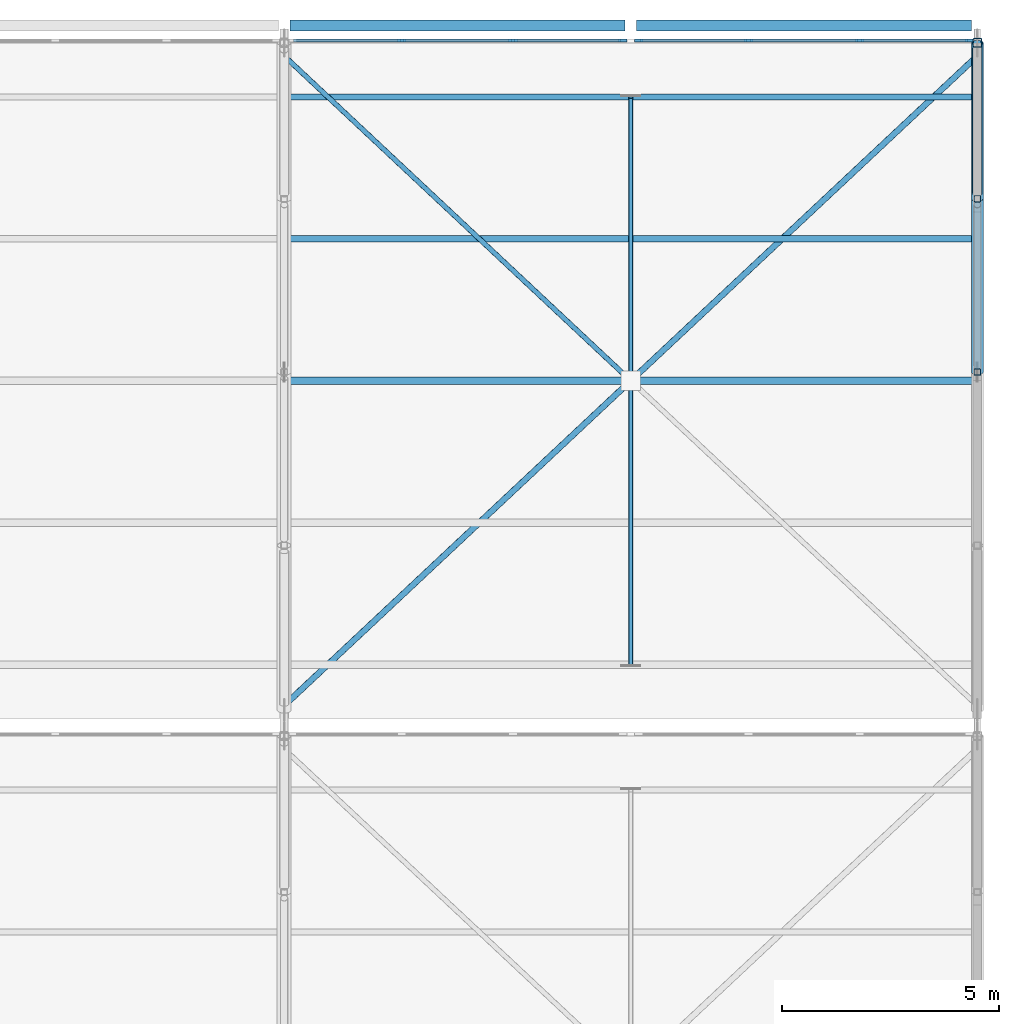
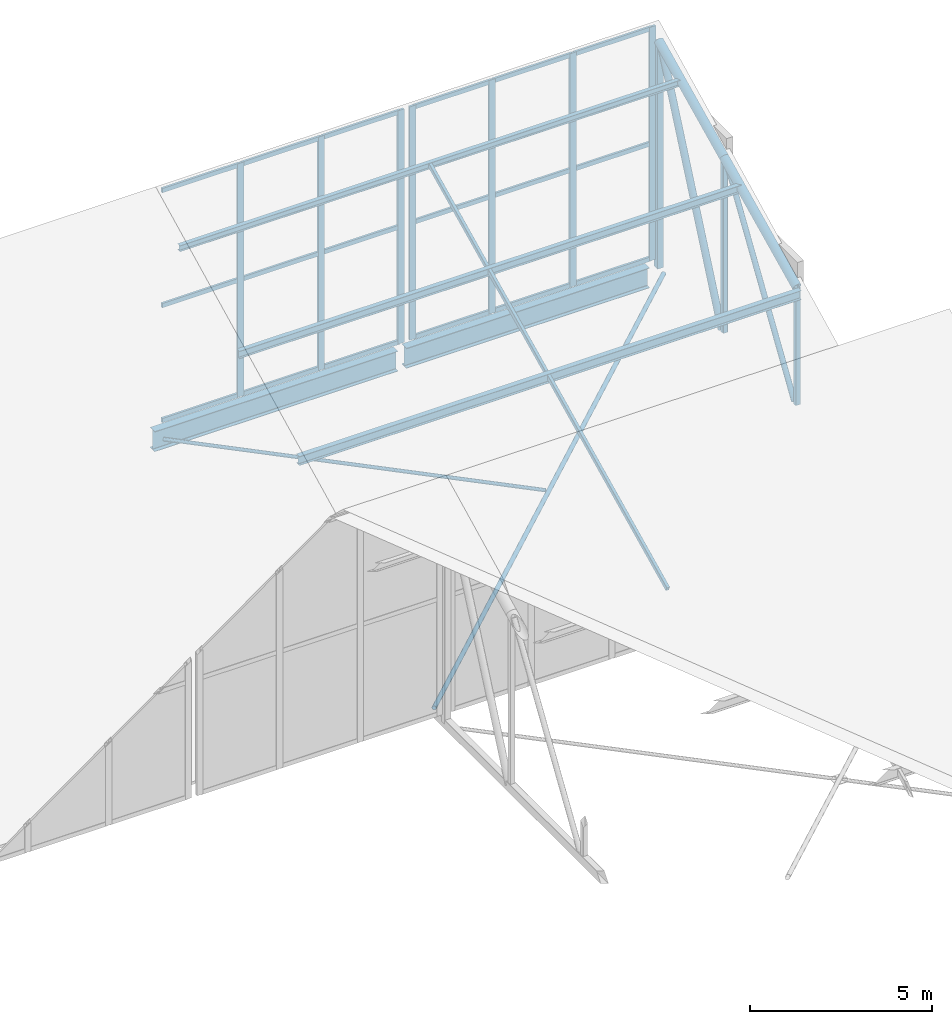
# One storey, part 89 of 137: 35 members, 5 beams, 2 elements without a shape of their own.
"""IFC4 building model written with IfcOpenShell, lengths in metres."""

from ifc_helpers import new_model, si_unit, direction, frame, origin, origin_2d, place, context, subcontext, project, spatial, rectangle, hollow_rectangle, hollow_circle, i_section, extrude, material, layer, layer_set, material_profile, profile_set, type_object, element, aggregate, save


model = new_model("IFC4")

# Units and contexts
model_context = context("Model", 3, precision=1e-05, world=origin(), true_north=direction((0.0, 1.0)))
body_context = subcontext(model_context, "Body", "Model", "MODEL_VIEW")
ifc_project = project(units=[si_unit("LENGTHUNIT", "METRE"), si_unit("AREAUNIT", "SQUARE_METRE"), si_unit("VOLUMEUNIT", "CUBIC_METRE"), si_unit("PLANEANGLEUNIT", "RADIAN"), si_unit("MASSUNIT", "GRAM", prefix="KILO")], contexts=[model_context])

# Site, building, storey
site_placement = place(None, origin())
site = spatial("IfcSite", under=ifc_project, at=site_placement, CompositionType="ELEMENT")
building_placement = place(site_placement, origin())
building = spatial("IfcBuilding", under=site, at=building_placement, Name="Jelvoka-Kovrelna Polytechnic", CompositionType="ELEMENT")
storey_placement = place(building_placement, frame((0.0, 0.0, 9.60009765625)))
storey = spatial("IfcBuildingStorey", under=building, at=storey_placement, Name="L03", CompositionType="ELEMENT", Elevation=9.60009765625)

# Beams
ifc_material_1 = material(Name="Structural steel S355JR", Category="steel")
ifc_material_profile_1 = material_profile(ifc_material_1, i_section(OverallWidth=0.2529296875, OverallDepth=0.677978515625, WebThickness=0.01171875, FlangeThickness=0.01611328125, FilletRadius=0.01513671875, at=origin_2d()), Name="686x254x125 UB")
ifc_profile_set_1 = profile_set([ifc_material_profile_1], Name="Structural steel S355JR")
beam_type_1 = type_object("IfcBeamType", Name="Girder_Steel_UB686", PredefinedType="BEAM", material=ifc_profile_set_1)
for number, where, z_axis, x_axis, name in (
    (1, (184.1328125, 120.0, -0.34912109375), (1.0, 0.0, 0.0), (0.0, 1.0, 0.0), "L03 beam 0114"),
    (2, (192.1328125, 120.0, -0.34912109375), (1.0, 0.0, 0.0), (0.0, 1.0, 0.0), "L03 beam 0116"),
):
    element("IfcBeam", number, at=place(storey_placement, frame(where, z_axis=z_axis, x_axis=x_axis)), inside=storey, type_object=beam_type_1, Name=name, PredefinedType="BEAM", context=body_context, shape_type="SweptSolid", body=[
        extrude(i_section(OverallWidth=0.2529296875, OverallDepth=0.677978515625, WebThickness=0.01171875, FlangeThickness=0.01611328125, FilletRadius=0.01513671875, at=origin_2d()), origin(), (0.0, 0.0, 1.0), 7.734375),
    ])

# Members
ifc_material_2 = material(Name="Structural steel S355J2H", Category="steel")
ifc_material_profile_2 = material_profile(ifc_material_2, hollow_circle(Radius=0.05712890625, WallThickness=0.00634765625, at=origin_2d()), Name="114.3x6.3 CHS")
ifc_profile_set_2 = profile_set([ifc_material_profile_2], Name="Structural steel S355J2H")
member_type_1 = type_object("IfcMemberType", Name="Member_Brace_CHS114", PredefinedType="BRACE", material=ifc_profile_set_2)
member_1_placement = place(storey_placement, frame((184.050048828125, 119.25, 0.14990234375), z_axis=(0.729679522085, -0.683789291412, 0.0), x_axis=(0.683789291412, 0.729679522085, 0.0)))
element("IfcMember", 3, at=member_1_placement, inside=storey, type_object=member_type_1, Name="Sawtooth roof split X-brace half-diagonal 0230", PredefinedType="BRACE", context=body_context, shape_type="SweptSolid", body=[
    extrude(hollow_circle(Radius=0.05712890625, WallThickness=0.00634765625, at=origin_2d()), origin(), (0.0, 0.0, 1.0), 10.80517578125),
])
ifc_material_3 = material(Name="Structural steel S355J2H", Category="steel")
ifc_material_profile_3 = material_profile(ifc_material_3, hollow_circle(Radius=0.06982421875, WallThickness=0.00634765625, at=origin_2d()), Name="139.7x6.3 CHS")
ifc_profile_set_3 = profile_set([ifc_material_profile_3], Name="Structural steel S355J2H")
member_type_2 = type_object("IfcMemberType", Name="Member_Brace_CHS140", PredefinedType="BRACE", material=ifc_profile_set_3)
member_2_placement = place(storey_placement, frame((184.050048828125, 104.35009765625, 0.14990234375), z_axis=(0.72968044266, 0.683788309055, 0.0), x_axis=(-0.683788309055, 0.72968044266, 0.0)))
element("IfcMember", 4, at=member_2_placement, inside=storey, type_object=member_type_2, Name="Sawtooth roof continuous X-brace 0229", PredefinedType="BRACE", context=body_context, shape_type="SweptSolid", body=[
    extrude(hollow_circle(Radius=0.06982421875, WallThickness=0.00634765625, at=origin_2d()), origin(), (0.0, 0.0, 1.0), 21.790283203125),
])
ifc_material_4 = material(Name="Structural steel S355J2H", Category="steel")
ifc_material_profile_4 = material_profile(ifc_material_4, hollow_circle(Radius=0.084228515625, WallThickness=0.008056640625, at=origin_2d()), Name="168.3x8.0 CHS")
ifc_profile_set_4 = profile_set([ifc_material_profile_4], Name="Structural steel S355J2H")
member_type_3 = type_object("IfcMemberType", Name="Member_Brace_CHS168", PredefinedType="BRACE", material=ifc_profile_set_4)
member_3_placement = place(storey_placement, frame((200.0, 112.139892578125, 0.14990234375), z_axis=(0.0, 0.5415746521, 0.840652660855), x_axis=(-1.0, 0.0, 0.0)))
element("IfcMember", 5, at=member_3_placement, inside=storey, type_object=member_type_3, Name="Sawtooth truss 8 diagonal web 2.3", PredefinedType="BRACE", context=body_context, shape_type="SweptSolid", body=[
    extrude(hollow_circle(Radius=0.084228515625, WallThickness=0.008056640625, at=origin_2d()), origin(), (0.0, 0.0, 1.0), 6.869140625),
])
ifc_material_5 = material(Name="Structural steel S355J2H", Category="steel")
ifc_material_profile_5 = material_profile(ifc_material_5, hollow_circle(Radius=0.109619140625, WallThickness=0.008056640625, at=origin_2d()), Name="219.1x8.0 CHS")
ifc_profile_set_5 = profile_set([ifc_material_profile_5], Name="Structural steel S355J2H")
member_type_4 = type_object("IfcMemberType", Name="Member_Brace_CHS219", PredefinedType="BRACE", material=ifc_profile_set_5)
member_4_placement = place(storey_placement, frame((200.0, 116.139892578125, 0.14990234375), z_axis=(0.0, 0.404336237521, 0.914610412705), x_axis=(-1.0, 0.0, 0.0)))
element("IfcMember", 6, at=member_4_placement, inside=storey, type_object=member_type_4, Name="Sawtooth truss 8 diagonal web 2.4", PredefinedType="BRACE", context=body_context, shape_type="SweptSolid", body=[
    extrude(hollow_circle(Radius=0.109619140625, WallThickness=0.008056640625, at=origin_2d()), origin(), (0.0, 0.0, 1.0), 8.211181640625),
])
ifc_material_6 = material(Name="Structural steel S355J2H", Category="steel")
ifc_material_profile_6 = material_profile(ifc_material_6, hollow_circle(Radius=0.136474609375, WallThickness=0.010009765625, at=origin_2d()), Name="273.0x10.0 CHS")
ifc_profile_set_6 = profile_set([ifc_material_profile_6], Name="Structural steel S355J2H")
member_type_5 = type_object("IfcMemberType", Name="Member_Chord_CHS273", PredefinedType="CHORD", material=ifc_profile_set_6)
member_5_placement = place(storey_placement, frame((200.0, 112.0, 4.076416015625), z_axis=(0.0, 0.900820911068, 0.434190840741), x_axis=(-1.0, 0.0, 0.0)))
element("IfcMember", 7, at=member_5_placement, inside=storey, type_object=member_type_5, Name="Sawtooth truss 8 top chord 2.3", PredefinedType="CHORD", context=body_context, shape_type="SweptSolid", body=[
    extrude(hollow_circle(Radius=0.136474609375, WallThickness=0.010009765625, at=origin_2d()), origin(), (0.0, 0.0, 1.0), 4.4404296875),
])
member_6_placement = place(storey_placement, frame((200.0, 116.0, 6.00439453125), z_axis=(0.0, 0.900784896778, 0.434265552095), x_axis=(-1.0, 0.0, 0.0)))
element("IfcMember", 8, at=member_6_placement, inside=storey, type_object=member_type_5, Name="Sawtooth truss 8 top chord 2.4", PredefinedType="CHORD", context=body_context, shape_type="SweptSolid", body=[
    extrude(hollow_circle(Radius=0.136474609375, WallThickness=0.010009765625, at=origin_2d()), origin(), (0.0, 0.0, 1.0), 3.99658203125),
])
ifc_material_7 = material(Name="Structural steel S355J2H", Category="steel")
ifc_material_profile_7 = material_profile(ifc_material_7, hollow_rectangle(XDim=0.14990234375, YDim=0.14990234375, WallThickness=0.008056640625, InnerFilletRadius=0.008056640625, OuterFilletRadius=0.011962890625, at=origin_2d()), Name="150x150x8.0 SHS")
ifc_profile_set_7 = profile_set([ifc_material_profile_7], Name="Structural steel S355J2H")
member_type_6 = type_object("IfcMemberType", Name="Member_Post_SHS150", PredefinedType="POST", material=ifc_profile_set_7)
member_7_placement = place(storey_placement, frame((200.0, 112.0, 0.14990234375), z_axis=(0.0, 0.0, 1.0), x_axis=(1.0, 0.0, 0.0)))
element("IfcMember", 9, at=member_7_placement, inside=storey, type_object=member_type_6, Name="Sawtooth truss 8 web post 2.3", PredefinedType="POST", context=body_context, shape_type="SweptSolid", body=[
    extrude(hollow_rectangle(XDim=0.14990234375, YDim=0.14990234375, WallThickness=0.008056640625, InnerFilletRadius=0.008056640625, OuterFilletRadius=0.011962890625, at=origin_2d()), origin(), (0.0, 0.0, 1.0), 3.926513671875),
])
member_8_placement = place(storey_placement, frame((200.0, 116.0, 0.14990234375), z_axis=(0.0, 0.0, 1.0), x_axis=(1.0, 0.0, 0.0)))
element("IfcMember", 10, at=member_8_placement, inside=storey, type_object=member_type_6, Name="Sawtooth truss 8 web post 2.4", PredefinedType="POST", context=body_context, shape_type="SweptSolid", body=[
    extrude(hollow_rectangle(XDim=0.14990234375, YDim=0.14990234375, WallThickness=0.008056640625, InnerFilletRadius=0.008056640625, OuterFilletRadius=0.011962890625, at=origin_2d()), origin(), (0.0, 0.0, 1.0), 5.8544921875),
])
ifc_material_8 = material(Name="Structural steel S355J2H", Category="steel")
ifc_material_profile_8 = material_profile(ifc_material_8, hollow_rectangle(XDim=0.199951171875, YDim=0.199951171875, WallThickness=0.010009765625, InnerFilletRadius=0.010009765625, OuterFilletRadius=0.014892578125, at=origin_2d()), Name="200x200x10.0 SHS")
ifc_profile_set_8 = profile_set([ifc_material_profile_8], Name="Structural steel S355J2H")
member_type_7 = type_object("IfcMemberType", Name="Member_Post_SHS200", PredefinedType="POST", material=ifc_profile_set_8)
member_9_placement = place(storey_placement, frame((200.0, 119.60009765625, 0.14990234375), z_axis=(0.0, 0.0, 1.0), x_axis=(1.0, 0.0, 0.0)))
element("IfcMember", 11, at=member_9_placement, inside=storey, type_object=member_type_7, Name="Sawtooth truss 8 web post 2.5", PredefinedType="POST", context=body_context, shape_type="SweptSolid", body=[
    extrude(hollow_rectangle(XDim=0.199951171875, YDim=0.199951171875, WallThickness=0.010009765625, InnerFilletRadius=0.010009765625, OuterFilletRadius=0.014892578125, at=origin_2d()), origin(), (0.0, 0.0, 1.0), 7.590087890625),
])
ifc_material_9 = material(Name="Structural steel S355J2H", Category="steel")
ifc_material_profile_9 = material_profile(ifc_material_9, hollow_rectangle(XDim=0.10009765625, YDim=0.14990234375, WallThickness=0.00634765625, InnerFilletRadius=0.00634765625, OuterFilletRadius=0.009521484375, at=origin_2d()), Name="150x100x6.3 RHS")
ifc_profile_set_9 = profile_set([ifc_material_profile_9], Name="Structural steel S355J2H")
member_type_8 = type_object("IfcMemberType", Name="Member_Rafter_RHS150", PredefinedType="RAFTER", material=ifc_profile_set_9)
member_10_placement = place(storey_placement, frame((192.0, 105.248046875, 0.821533203125), z_axis=(0.0, 0.900805023058, 0.434223802243), x_axis=(-1.0, 0.0, 0.0)))
element("IfcMember", 12, at=member_10_placement, inside=storey, type_object=member_type_8, Name="Sawtooth mid-bay secondary rafter 7.2", PredefinedType="RAFTER", context=body_context, shape_type="SweptSolid", body=[
    extrude(hollow_rectangle(XDim=0.10009765625, YDim=0.14990234375, WallThickness=0.00634765625, InnerFilletRadius=0.00634765625, OuterFilletRadius=0.009521484375, at=origin_2d()), origin(), (0.0, 0.0, 1.0), 14.546875),
])

# Curtain wall, members
ifc_material_10 = material(Name="Anodised aluminium 6063-T6", Category="aluminium")
ifc_layer = layer(ifc_material_10, 0.199951171875)
ifc_layer_set = layer_set([ifc_layer], Name="Anodised aluminium 6063-T6")
curtain_wall_type = type_object("IfcCurtainWallType", Name="CW_Clerestory", PredefinedType="NOTDEFINED", material=ifc_layer_set)
curtain_wall_1_placement = place(storey_placement, origin())
curtain_wall_1 = element("IfcCurtainWall", 13, at=curtain_wall_1_placement, inside=storey, type_object=curtain_wall_type, Name="L03 glazed curtain wall 208", PredefinedType="NOTDEFINED")
ifc_material_11 = material(Name="Anodised aluminium 6063-T6", Category="aluminium")
ifc_material_profile_10 = material_profile(ifc_material_11, rectangle(XDim=0.070068359375, YDim=0.199951171875, at=origin_2d()), Name="ALU 70x200")
ifc_profile_set_10 = profile_set([ifc_material_profile_10], Name="Anodised aluminium 6063-T6")
member_type_9 = type_object("IfcMemberType", Name="Mullion_M-03", PredefinedType="MULLION", material=ifc_profile_set_10)
member_11_placement = place(storey_placement, frame((186.716552734375, 119.64990234375, 0.425048828125), z_axis=(0.0, 0.0, 1.0), x_axis=(0.0, 1.0, 0.0)))
member_11 = element("IfcMember", 14, at=member_11_placement, type_object=member_type_9, Name="CW-03 mullion 2", PredefinedType="MULLION", context=body_context, shape_type="SweptSolid", body=[
    extrude(rectangle(XDim=0.070068359375, YDim=0.199951171875, at=origin_2d()), origin(), (0.0, 0.0, 1.0), 7.85009765625),
])
member_12_placement = place(storey_placement, frame((189.283447265625, 119.64990234375, 0.425048828125), z_axis=(0.0, 0.0, 1.0), x_axis=(0.0, 1.0, 0.0)))
member_12 = element("IfcMember", 15, at=member_12_placement, type_object=member_type_9, Name="CW-03 mullion 3", PredefinedType="MULLION", context=body_context, shape_type="SweptSolid", body=[
    extrude(rectangle(XDim=0.070068359375, YDim=0.199951171875, at=origin_2d()), origin(), (0.0, 0.0, 1.0), 7.85009765625),
])
member_13_placement = place(storey_placement, frame((191.81494140625, 119.64990234375, 0.425048828125), z_axis=(0.0, 0.0, 1.0), x_axis=(0.0, 1.0, 0.0)))
member_13 = element("IfcMember", 16, at=member_13_placement, type_object=member_type_9, Name="CW-03 mullion 4", PredefinedType="MULLION", context=body_context, shape_type="SweptSolid", body=[
    extrude(rectangle(XDim=0.070068359375, YDim=0.199951171875, at=origin_2d()), origin(), (0.0, 0.0, 1.0), 7.85009765625),
])

curtain_wall_2_placement = place(storey_placement, origin())
curtain_wall_2 = element("IfcCurtainWall", 17, at=curtain_wall_2_placement, inside=storey, type_object=curtain_wall_type, Name="L03 glazed curtain wall 210", PredefinedType="NOTDEFINED")
member_14_placement = place(storey_placement, frame((192.18505859375, 119.64990234375, 0.425048828125), z_axis=(0.0, 0.0, 1.0), x_axis=(0.0, 1.0, 0.0)))
member_14 = element("IfcMember", 18, at=member_14_placement, type_object=member_type_9, Name="CW-03 mullion 1", PredefinedType="MULLION", context=body_context, shape_type="SweptSolid", body=[
    extrude(rectangle(XDim=0.070068359375, YDim=0.199951171875, at=origin_2d()), origin(), (0.0, 0.0, 1.0), 7.85009765625),
])
member_15_placement = place(storey_placement, frame((194.716552734375, 119.64990234375, 0.425048828125), z_axis=(0.0, 0.0, 1.0), x_axis=(0.0, 1.0, 0.0)))
member_15 = element("IfcMember", 19, at=member_15_placement, type_object=member_type_9, Name="CW-03 mullion 2", PredefinedType="MULLION", context=body_context, shape_type="SweptSolid", body=[
    extrude(rectangle(XDim=0.070068359375, YDim=0.199951171875, at=origin_2d()), origin(), (0.0, 0.0, 1.0), 7.85009765625),
])
member_16_placement = place(storey_placement, frame((197.283447265625, 119.64990234375, 0.425048828125), z_axis=(0.0, 0.0, 1.0), x_axis=(0.0, 1.0, 0.0)))
member_16 = element("IfcMember", 20, at=member_16_placement, type_object=member_type_9, Name="CW-03 mullion 3", PredefinedType="MULLION", context=body_context, shape_type="SweptSolid", body=[
    extrude(rectangle(XDim=0.070068359375, YDim=0.199951171875, at=origin_2d()), origin(), (0.0, 0.0, 1.0), 7.85009765625),
])
member_17_placement = place(storey_placement, frame((199.81494140625, 119.64990234375, 0.425048828125), z_axis=(0.0, 0.0, 1.0), x_axis=(0.0, 1.0, 0.0)))
member_17 = element("IfcMember", 21, at=member_17_placement, type_object=member_type_9, Name="CW-03 mullion 4", PredefinedType="MULLION", context=body_context, shape_type="SweptSolid", body=[
    extrude(rectangle(XDim=0.070068359375, YDim=0.199951171875, at=origin_2d()), origin(), (0.0, 0.0, 1.0), 7.85009765625),
])

# Beams
ifc_material_12 = material(Name="Structural steel S355JR", Category="steel")
ifc_material_profile_11 = material_profile(ifc_material_12, i_section(OverallWidth=0.13330078125, OverallDepth=0.203125, WebThickness=0.005615234375, FlangeThickness=0.0078125, FilletRadius=0.007568359375, at=origin_2d()), Name="203x133x25 UB")
ifc_profile_set_11 = profile_set([ifc_material_profile_11], Name="Structural steel S355JR")
beam_type_2 = type_object("IfcBeamType", Name="Purlin_Steel_UB203", PredefinedType="JOIST", material=ifc_profile_set_11)
beam_1_placement = place(storey_placement, frame((184.02001953125, 118.35205078125, 7.13818359375), z_axis=(1.0, 0.0, 0.0), x_axis=(0.0, 1.0, 0.0)))
element("IfcBeam", 22, at=beam_1_placement, inside=storey, type_object=beam_type_2, Name="Sawtooth roof purlin 070", PredefinedType="JOIST", context=body_context, shape_type="SweptSolid", body=[
    extrude(i_section(OverallWidth=0.13330078125, OverallDepth=0.203125, WebThickness=0.005615234375, FlangeThickness=0.0078125, FilletRadius=0.007568359375, at=origin_2d()), origin(), (0.0, 0.0, 1.0), 15.9599609375),
])
ifc_material_13 = material(Name="Structural steel S355JR", Category="steel")
ifc_material_profile_12 = material_profile(ifc_material_13, i_section(OverallWidth=0.14599609375, OverallDepth=0.25146484375, WebThickness=0.006103515625, FlangeThickness=0.008544921875, FilletRadius=0.007568359375, at=origin_2d()), Name="254x146x31 UB")
ifc_profile_set_12 = profile_set([ifc_material_profile_12], Name="Structural steel S355JR")
beam_type_3 = type_object("IfcBeamType", Name="Purlin_Steel_UB254", PredefinedType="JOIST", material=ifc_profile_set_12)
beam_2_placement = place(storey_placement, frame((184.02001953125, 115.075927734375, 5.55908203125), z_axis=(1.0, 0.0, 0.0), x_axis=(0.0, 1.0, 0.0)))
element("IfcBeam", 23, at=beam_2_placement, inside=storey, type_object=beam_type_3, Name="Sawtooth roof purlin 069", PredefinedType="JOIST", context=body_context, shape_type="SweptSolid", body=[
    extrude(i_section(OverallWidth=0.14599609375, OverallDepth=0.25146484375, WebThickness=0.006103515625, FlangeThickness=0.008544921875, FilletRadius=0.007568359375, at=origin_2d()), origin(), (0.0, 0.0, 1.0), 15.9599609375),
])
ifc_material_14 = material(Name="Structural steel S355JR", Category="steel")
ifc_material_profile_13 = material_profile(ifc_material_14, i_section(OverallWidth=0.1650390625, OverallDepth=0.303466796875, WebThickness=0.006103515625, FlangeThickness=0.01025390625, FilletRadius=0.0087890625, at=origin_2d()), Name="305x165x40 UB")
ifc_profile_set_13 = profile_set([ifc_material_profile_13], Name="Structural steel S355JR")
beam_type_4 = type_object("IfcBeamType", Name="Purlin_Steel_UB305", PredefinedType="JOIST", material=ifc_profile_set_13)
beam_3_placement = place(storey_placement, frame((184.02001953125, 111.800048828125, 3.97998046875), z_axis=(1.0, 0.0, 0.0), x_axis=(0.0, 1.0, 0.0)))
element("IfcBeam", 24, at=beam_3_placement, inside=storey, type_object=beam_type_4, Name="Sawtooth roof purlin 068", PredefinedType="JOIST", context=body_context, shape_type="SweptSolid", body=[
    extrude(i_section(OverallWidth=0.1650390625, OverallDepth=0.303466796875, WebThickness=0.006103515625, FlangeThickness=0.01025390625, FilletRadius=0.0087890625, at=origin_2d()), origin(), (0.0, 0.0, 1.0), 15.9599609375),
])

# Member
ifc_material_15 = material(Name="Anodised aluminium 6063-T6", Category="aluminium")
ifc_material_profile_14 = material_profile(ifc_material_15, rectangle(XDim=0.070068359375, YDim=0.14501953125, at=origin_2d()), Name="ALU 70x145")
ifc_profile_set_14 = profile_set([ifc_material_profile_14], Name="Anodised aluminium 6063-T6")
member_type_10 = type_object("IfcMemberType", Name="Transom_T-03", PredefinedType="USERDEFINED", material=ifc_profile_set_14)
member_18_placement = place(storey_placement, frame((184.219970703125, 119.64990234375, 0.48486328125), z_axis=(1.0, 0.0, 0.0), x_axis=(0.0, 1.0, 0.0)))
member_18 = element("IfcMember", 25, at=member_18_placement, type_object=member_type_10, Name="CW-03 transom 1.1", ObjectType="TRANSOM", PredefinedType="USERDEFINED", context=body_context, shape_type="SweptSolid", body=[
    extrude(rectangle(XDim=0.070068359375, YDim=0.14501953125, at=origin_2d()), origin(), (0.0, 0.0, 1.0), 2.461669921875),
])

member_19_placement = place(storey_placement, frame((184.219970703125, 119.64990234375, 4.349853515625), z_axis=(1.0, 0.0, 0.0), x_axis=(0.0, 1.0, 0.0)))
member_19 = element("IfcMember", 26, at=member_19_placement, type_object=member_type_10, Name="CW-03 transom 1.2", ObjectType="TRANSOM", PredefinedType="USERDEFINED", context=body_context, shape_type="SweptSolid", body=[
    extrude(rectangle(XDim=0.070068359375, YDim=0.14501953125, at=origin_2d()), origin(), (0.0, 0.0, 1.0), 2.461669921875),
])

member_20_placement = place(storey_placement, frame((184.219970703125, 119.64990234375, 8.21484375), z_axis=(1.0, 0.0, 0.0), x_axis=(0.0, 1.0, 0.0)))
member_20 = element("IfcMember", 27, at=member_20_placement, type_object=member_type_10, Name="CW-03 transom 1.3", ObjectType="TRANSOM", PredefinedType="USERDEFINED", context=body_context, shape_type="SweptSolid", body=[
    extrude(rectangle(XDim=0.070068359375, YDim=0.14501953125, at=origin_2d()), origin(), (0.0, 0.0, 1.0), 2.461669921875),
])

member_21_placement = place(storey_placement, frame((186.751708984375, 119.64990234375, 0.48486328125), z_axis=(1.0, 0.0, 0.0), x_axis=(0.0, 1.0, 0.0)))
member_21 = element("IfcMember", 28, at=member_21_placement, type_object=member_type_10, Name="CW-03 transom 2.1", ObjectType="TRANSOM", PredefinedType="USERDEFINED", context=body_context, shape_type="SweptSolid", body=[
    extrude(rectangle(XDim=0.070068359375, YDim=0.14501953125, at=origin_2d()), origin(), (0.0, 0.0, 1.0), 2.49658203125),
])

member_22_placement = place(storey_placement, frame((186.751708984375, 119.64990234375, 4.349853515625), z_axis=(1.0, 0.0, 0.0), x_axis=(0.0, 1.0, 0.0)))
member_22 = element("IfcMember", 29, at=member_22_placement, type_object=member_type_10, Name="CW-03 transom 2.2", ObjectType="TRANSOM", PredefinedType="USERDEFINED", context=body_context, shape_type="SweptSolid", body=[
    extrude(rectangle(XDim=0.070068359375, YDim=0.14501953125, at=origin_2d()), origin(), (0.0, 0.0, 1.0), 2.49658203125),
])

member_23_placement = place(storey_placement, frame((186.751708984375, 119.64990234375, 8.21484375), z_axis=(1.0, 0.0, 0.0), x_axis=(0.0, 1.0, 0.0)))
member_23 = element("IfcMember", 30, at=member_23_placement, type_object=member_type_10, Name="CW-03 transom 2.3", ObjectType="TRANSOM", PredefinedType="USERDEFINED", context=body_context, shape_type="SweptSolid", body=[
    extrude(rectangle(XDim=0.070068359375, YDim=0.14501953125, at=origin_2d()), origin(), (0.0, 0.0, 1.0), 2.49658203125),
])

member_24_placement = place(storey_placement, frame((189.318359375, 119.64990234375, 0.48486328125), z_axis=(1.0, 0.0, 0.0), x_axis=(0.0, 1.0, 0.0)))
member_24 = element("IfcMember", 31, at=member_24_placement, type_object=member_type_10, Name="CW-03 transom 3.1", ObjectType="TRANSOM", PredefinedType="USERDEFINED", context=body_context, shape_type="SweptSolid", body=[
    extrude(rectangle(XDim=0.070068359375, YDim=0.14501953125, at=origin_2d()), origin(), (0.0, 0.0, 1.0), 2.461669921875),
])

member_25_placement = place(storey_placement, frame((189.318359375, 119.64990234375, 4.349853515625), z_axis=(1.0, 0.0, 0.0), x_axis=(0.0, 1.0, 0.0)))
member_25 = element("IfcMember", 32, at=member_25_placement, type_object=member_type_10, Name="CW-03 transom 3.2", ObjectType="TRANSOM", PredefinedType="USERDEFINED", context=body_context, shape_type="SweptSolid", body=[
    extrude(rectangle(XDim=0.070068359375, YDim=0.14501953125, at=origin_2d()), origin(), (0.0, 0.0, 1.0), 2.461669921875),
])

member_26_placement = place(storey_placement, frame((189.318359375, 119.64990234375, 8.21484375), z_axis=(1.0, 0.0, 0.0), x_axis=(0.0, 1.0, 0.0)))
member_26 = element("IfcMember", 33, at=member_26_placement, type_object=member_type_10, Name="CW-03 transom 3.3", ObjectType="TRANSOM", PredefinedType="USERDEFINED", context=body_context, shape_type="SweptSolid", body=[
    extrude(rectangle(XDim=0.070068359375, YDim=0.14501953125, at=origin_2d()), origin(), (0.0, 0.0, 1.0), 2.461669921875),
])

aggregate(curtain_wall_1, [member_11, member_12, member_13, member_18, member_19, member_20, member_21, member_22, member_23, member_24, member_25, member_26])

member_27_placement = place(storey_placement, frame((192.219970703125, 119.64990234375, 0.48486328125), z_axis=(1.0, 0.0, 0.0), x_axis=(0.0, 1.0, 0.0)))
member_27 = element("IfcMember", 34, at=member_27_placement, type_object=member_type_10, Name="CW-03 transom 1.1", ObjectType="TRANSOM", PredefinedType="USERDEFINED", context=body_context, shape_type="SweptSolid", body=[
    extrude(rectangle(XDim=0.070068359375, YDim=0.14501953125, at=origin_2d()), origin(), (0.0, 0.0, 1.0), 2.461669921875),
])

member_28_placement = place(storey_placement, frame((192.219970703125, 119.64990234375, 4.349853515625), z_axis=(1.0, 0.0, 0.0), x_axis=(0.0, 1.0, 0.0)))
member_28 = element("IfcMember", 35, at=member_28_placement, type_object=member_type_10, Name="CW-03 transom 1.2", ObjectType="TRANSOM", PredefinedType="USERDEFINED", context=body_context, shape_type="SweptSolid", body=[
    extrude(rectangle(XDim=0.070068359375, YDim=0.14501953125, at=origin_2d()), origin(), (0.0, 0.0, 1.0), 2.461669921875),
])

member_29_placement = place(storey_placement, frame((192.219970703125, 119.64990234375, 8.21484375), z_axis=(1.0, 0.0, 0.0), x_axis=(0.0, 1.0, 0.0)))
member_29 = element("IfcMember", 36, at=member_29_placement, type_object=member_type_10, Name="CW-03 transom 1.3", ObjectType="TRANSOM", PredefinedType="USERDEFINED", context=body_context, shape_type="SweptSolid", body=[
    extrude(rectangle(XDim=0.070068359375, YDim=0.14501953125, at=origin_2d()), origin(), (0.0, 0.0, 1.0), 2.461669921875),
])

member_30_placement = place(storey_placement, frame((194.751708984375, 119.64990234375, 0.48486328125), z_axis=(1.0, 0.0, 0.0), x_axis=(0.0, 1.0, 0.0)))
member_30 = element("IfcMember", 37, at=member_30_placement, type_object=member_type_10, Name="CW-03 transom 2.1", ObjectType="TRANSOM", PredefinedType="USERDEFINED", context=body_context, shape_type="SweptSolid", body=[
    extrude(rectangle(XDim=0.070068359375, YDim=0.14501953125, at=origin_2d()), origin(), (0.0, 0.0, 1.0), 2.49658203125),
])

member_31_placement = place(storey_placement, frame((194.751708984375, 119.64990234375, 4.349853515625), z_axis=(1.0, 0.0, 0.0), x_axis=(0.0, 1.0, 0.0)))
member_31 = element("IfcMember", 38, at=member_31_placement, type_object=member_type_10, Name="CW-03 transom 2.2", ObjectType="TRANSOM", PredefinedType="USERDEFINED", context=body_context, shape_type="SweptSolid", body=[
    extrude(rectangle(XDim=0.070068359375, YDim=0.14501953125, at=origin_2d()), origin(), (0.0, 0.0, 1.0), 2.49658203125),
])

member_32_placement = place(storey_placement, frame((194.751708984375, 119.64990234375, 8.21484375), z_axis=(1.0, 0.0, 0.0), x_axis=(0.0, 1.0, 0.0)))
member_32 = element("IfcMember", 39, at=member_32_placement, type_object=member_type_10, Name="CW-03 transom 2.3", ObjectType="TRANSOM", PredefinedType="USERDEFINED", context=body_context, shape_type="SweptSolid", body=[
    extrude(rectangle(XDim=0.070068359375, YDim=0.14501953125, at=origin_2d()), origin(), (0.0, 0.0, 1.0), 2.49658203125),
])

member_33_placement = place(storey_placement, frame((197.318359375, 119.64990234375, 0.48486328125), z_axis=(1.0, 0.0, 0.0), x_axis=(0.0, 1.0, 0.0)))
member_33 = element("IfcMember", 40, at=member_33_placement, type_object=member_type_10, Name="CW-03 transom 3.1", ObjectType="TRANSOM", PredefinedType="USERDEFINED", context=body_context, shape_type="SweptSolid", body=[
    extrude(rectangle(XDim=0.070068359375, YDim=0.14501953125, at=origin_2d()), origin(), (0.0, 0.0, 1.0), 2.461669921875),
])

member_34_placement = place(storey_placement, frame((197.318359375, 119.64990234375, 4.349853515625), z_axis=(1.0, 0.0, 0.0), x_axis=(0.0, 1.0, 0.0)))
member_34 = element("IfcMember", 41, at=member_34_placement, type_object=member_type_10, Name="CW-03 transom 3.2", ObjectType="TRANSOM", PredefinedType="USERDEFINED", context=body_context, shape_type="SweptSolid", body=[
    extrude(rectangle(XDim=0.070068359375, YDim=0.14501953125, at=origin_2d()), origin(), (0.0, 0.0, 1.0), 2.461669921875),
])

member_35_placement = place(storey_placement, frame((197.318359375, 119.64990234375, 8.21484375), z_axis=(1.0, 0.0, 0.0), x_axis=(0.0, 1.0, 0.0)))
member_35 = element("IfcMember", 42, at=member_35_placement, type_object=member_type_10, Name="CW-03 transom 3.3", ObjectType="TRANSOM", PredefinedType="USERDEFINED", context=body_context, shape_type="SweptSolid", body=[
    extrude(rectangle(XDim=0.070068359375, YDim=0.14501953125, at=origin_2d()), origin(), (0.0, 0.0, 1.0), 2.461669921875),
])

aggregate(curtain_wall_2, [member_14, member_15, member_16, member_17, member_27, member_28, member_29, member_30, member_31, member_32, member_33, member_34, member_35])

save(model, "model.ifc")
